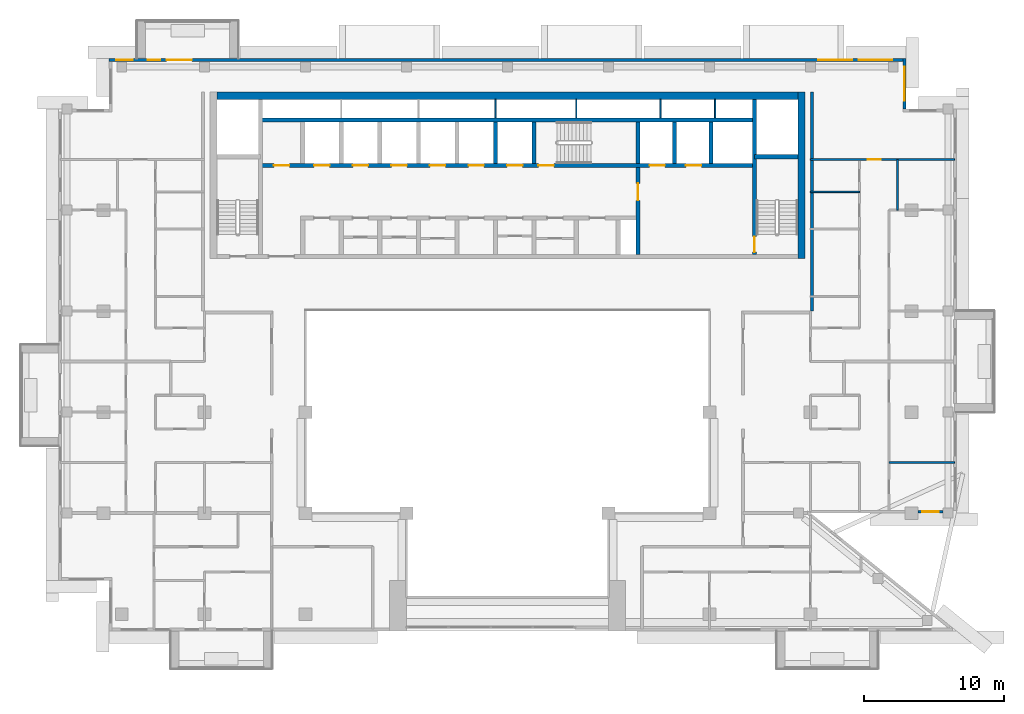
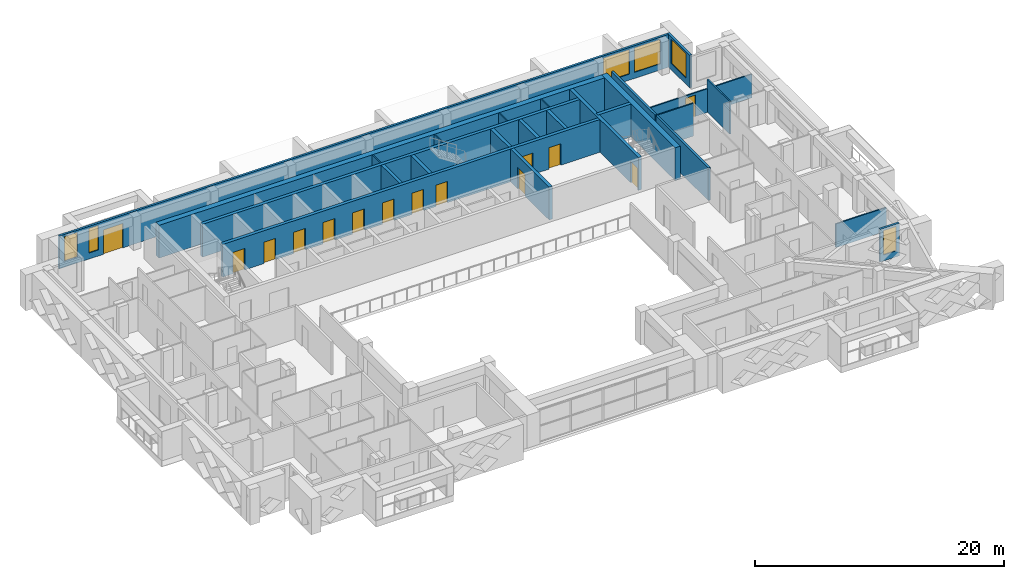
# One storey, part 11 of 19: 24 walls, 14 doors, 6 windows, 20 openings.
"""IFC4 building model written with IfcOpenShell, lengths in metres."""

from ifc_helpers import new_model, si_unit, direction, frame, frame_2d, origin, place, context, subcontext, project, spatial, rectangle, extrude, material, layer, layer_set, type_object, element, fill, save


model = new_model("IFC4")

# Units and contexts
model_context = context("Model", 3, precision=1e-05, world=origin(), true_north=direction((0.0, 1.0)))
body_context = subcontext(model_context, "Body", "Model", "MODEL_VIEW")
ifc_project = project(units=[si_unit("LENGTHUNIT", "METRE"), si_unit("AREAUNIT", "SQUARE_METRE"), si_unit("VOLUMEUNIT", "CUBIC_METRE"), si_unit("PLANEANGLEUNIT", "RADIAN"), si_unit("MASSUNIT", "GRAM", prefix="KILO")], contexts=[model_context])

# Site, building, storey
site_placement = place(None, origin())
site = spatial("IfcSite", under=ifc_project, at=site_placement, CompositionType="ELEMENT")
building_placement = place(site_placement, origin())
building = spatial("IfcBuilding", under=site, at=building_placement, Name="Saffron Iwan Residences", CompositionType="ELEMENT")
storey_placement = place(building_placement, frame((0.0, 0.0, 218.5)))
storey = spatial("IfcBuildingStorey", under=building, at=storey_placement, Name="L58", CompositionType="ELEMENT", Elevation=218.5)

# Wall, opening, window
ifc_material_1 = material(Name="Concrete C40/50", Category="concrete")
ifc_layer_1 = layer(ifc_material_1, 0.199951171875)
ifc_layer_set_1 = layer_set([ifc_layer_1], Name="Concrete C40/50")
wall_type_1 = type_object("IfcWallType", Name="EXTERNAL WALL 200", PredefinedType="SOLIDWALL", material=ifc_layer_set_1)
wall_1_placement = place(storey_placement, frame((79.64990234375, 48.10009765625, 0.0), z_axis=(0.0, 0.0, 1.0), x_axis=(1.0, 0.0, 0.0)))
wall_1 = element("IfcWall", 1, at=wall_1_placement, inside=storey, type_object=wall_type_1, Name="External wall L58 F1.1", PredefinedType="SOLIDWALL", context=body_context, shape_type="SweptSolid", body=[
    extrude(rectangle(XDim=1.800048828125, YDim=0.199951171875, at=frame_2d((0.89990234375, 0.0))), origin(), (0.0, 0.0, 1.0), 3.219970703125),
])
opening_1_placement = place(wall_1_placement, frame((0.300048828125, 0.0, 0.60009765625)))
opening_1 = element("IfcOpeningElement", 2, at=opening_1_placement, cuts=wall_1, Name="Opening W3", PredefinedType="OPENING", context=body_context, shape_type="SweptSolid", body=[
    extrude(rectangle(XDim=1.199951171875, YDim=2.39990234375, at=frame_2d((0.60009765625, 1.199951171875))), frame((0.0, 0.10986328125, 0.0), z_axis=(0.0, -1.0, 0.0), x_axis=(1.0, 0.0, 0.0)), (0.0, 0.0, 1.0), 0.219970703125),
])
ifc_material_2 = material(Name="Clear glass, laminated double glazed", Category="glass")
window_type_1 = type_object("IfcWindowType", Name="WINDOW 1200 x 2400", PartitioningType="SINGLE_PANEL", PredefinedType="WINDOW", material=ifc_material_2)
window_1_placement = place(opening_1_placement, origin())
window_1 = element("IfcWindow", 3, at=window_1_placement, inside=storey, type_object=window_type_1, Name="Window L58 F1.0", OverallHeight=2.39990234375, OverallWidth=1.199951171875, PartitioningType="SINGLE_PANEL", PredefinedType="WINDOW", context=body_context, shape_type="SweptSolid", body=[
    extrude(rectangle(XDim=1.199951171875, YDim=2.39990234375, at=frame_2d((0.60009765625, 1.199951171875))), frame((0.0, 0.030029296875, 0.0), z_axis=(0.0, -1.0, 0.0), x_axis=(1.0, 0.0, 0.0)), (0.0, 0.0, 1.0), 0.06005859375),
])
fill(opening_1, window_1)

wall_2_placement = place(storey_placement, frame((78.699951171875, 76.800048828125, 0.0), z_axis=(0.0, 0.0, 1.0), x_axis=(0.0, 1.0, 0.0)))
wall_2 = element("IfcWall", 4, at=wall_2_placement, inside=storey, type_object=wall_type_1, Name="External wall L58 F4.0", PredefinedType="SOLIDWALL", context=body_context, shape_type="SweptSolid", body=[
    extrude(rectangle(XDim=3.599853515625, YDim=0.199951171875, at=frame_2d((1.7998046875, 0.0))), origin(), (0.0, 0.0, 1.0), 3.219970703125),
])
opening_2_placement = place(wall_2_placement, frame((0.60009765625, 0.0, 0.60009765625)))
opening_2 = element("IfcOpeningElement", 5, at=opening_2_placement, cuts=wall_2, Name="Opening W1", PredefinedType="OPENING", context=body_context, shape_type="SweptSolid", body=[
    extrude(rectangle(XDim=2.39990234375, YDim=2.39990234375, at=frame_2d((1.199951171875, 1.199951171875))), frame((0.0, 0.10986328125, 0.0), z_axis=(0.0, -1.0, 0.0), x_axis=(1.0, 0.0, 0.0)), (0.0, 0.0, 1.0), 0.219970703125),
])
window_type_2 = type_object("IfcWindowType", Name="WINDOW 2400 x 2400", PartitioningType="DOUBLE_PANEL_VERTICAL", PredefinedType="WINDOW", material=ifc_material_2)
window_2_placement = place(opening_2_placement, origin())
window_2 = element("IfcWindow", 6, at=window_2_placement, inside=storey, type_object=window_type_2, Name="Window L58 F4.0", OverallHeight=2.39990234375, OverallWidth=2.39990234375, PartitioningType="DOUBLE_PANEL_VERTICAL", PredefinedType="WINDOW", context=body_context, shape_type="SweptSolid", body=[
    extrude(rectangle(XDim=2.39990234375, YDim=2.39990234375, at=frame_2d((1.199951171875, 1.199951171875))), frame((0.0, 0.030029296875, 0.0), z_axis=(0.0, -1.0, 0.0), x_axis=(1.0, 0.0, 0.0)), (0.0, 0.0, 1.0), 0.06005859375),
])
fill(opening_2, window_2)

# Wall, openings, door, windows
wall_3_placement = place(storey_placement, frame((78.60009765625, 80.300048828125, 0.0), z_axis=(0.0, 0.0, 1.0), x_axis=(-1.0, 0.0, 0.0)))
wall_3 = element("IfcWall", 7, at=wall_3_placement, inside=storey, type_object=wall_type_1, Name="External wall L58 F5.0", PredefinedType="SOLIDWALL", context=body_context, shape_type="SweptSolid", body=[
    extrude(rectangle(XDim=56.60009765625, YDim=0.199951171875, at=frame_2d((28.300048828125, 0.0))), origin(), (0.0, 0.0, 1.0), 3.219970703125),
])
opening_3_placement = place(wall_3_placement, frame((50.699951171875, 0.0, 0.0)))
opening_3 = element("IfcOpeningElement", 8, at=opening_3_placement, cuts=wall_3, Name="Opening BD1", PredefinedType="OPENING", context=body_context, shape_type="SweptSolid", body=[
    extrude(rectangle(XDim=1.800048828125, YDim=2.39990234375, at=frame_2d((0.89990234375, 1.199951171875))), frame((0.0, 0.10986328125, 0.0), z_axis=(0.0, -1.0, 0.0), x_axis=(1.0, 0.0, 0.0)), (0.0, 0.0, 1.0), 0.219970703125),
])
opening_4_placement = place(wall_3_placement, frame((52.949951171875, 0.0, 0.60009765625)))
opening_4 = element("IfcOpeningElement", 9, at=opening_4_placement, cuts=wall_3, Name="Opening W10", PredefinedType="OPENING", context=body_context, shape_type="SweptSolid", body=[
    extrude(rectangle(XDim=0.89990234375, YDim=2.39990234375, at=frame_2d((0.449951171875, 1.199951171875))), frame((0.0, 0.10986328125, 0.0), z_axis=(0.0, -1.0, 0.0), x_axis=(1.0, 0.0, 0.0)), (0.0, 0.0, 1.0), 0.219970703125),
])
opening_5_placement = place(wall_3_placement, frame((54.89990234375, 0.0, 0.60009765625)))
opening_5 = element("IfcOpeningElement", 10, at=opening_5_placement, cuts=wall_3, Name="Opening W3", PredefinedType="OPENING", context=body_context, shape_type="SweptSolid", body=[
    extrude(rectangle(XDim=1.199951171875, YDim=2.39990234375, at=frame_2d((0.60009765625, 1.199951171875))), frame((0.0, 0.10986328125, 0.0), z_axis=(0.0, -1.0, 0.0), x_axis=(1.0, 0.0, 0.0)), (0.0, 0.0, 1.0), 0.219970703125),
])
opening_6_placement = place(wall_3_placement, frame((0.7666015625, 0.0, 0.60009765625)))
opening_6 = element("IfcOpeningElement", 11, at=opening_6_placement, cuts=wall_3, Name="Opening W1", PredefinedType="OPENING", context=body_context, shape_type="SweptSolid", body=[
    extrude(rectangle(XDim=2.39990234375, YDim=2.39990234375, at=frame_2d((1.199951171875, 1.199951171875))), frame((0.0, 0.10986328125, 0.0), z_axis=(0.0, -1.0, 0.0), x_axis=(1.0, 0.0, 0.0)), (0.0, 0.0, 1.0), 0.219970703125),
])
opening_7_placement = place(wall_3_placement, frame((3.63330078125, 0.0, 0.60009765625)))
opening_7 = element("IfcOpeningElement", 12, at=opening_7_placement, cuts=wall_3, Name="Opening W1", PredefinedType="OPENING", context=body_context, shape_type="SweptSolid", body=[
    extrude(rectangle(XDim=2.39990234375, YDim=2.39990234375, at=frame_2d((1.199951171875, 1.199951171875))), frame((0.0, 0.10986328125, 0.0), z_axis=(0.0, -1.0, 0.0), x_axis=(1.0, 0.0, 0.0)), (0.0, 0.0, 1.0), 0.219970703125),
])
door_type_1 = type_object("IfcDoorType", Name="BALCONY DOOR 1800 x 2400", OperationType="DOUBLE_DOOR_SLIDING", PredefinedType="DOOR", material=ifc_material_2)
door_1_placement = place(opening_3_placement, origin())
door_1 = element("IfcDoor", 13, at=door_1_placement, inside=storey, type_object=door_type_1, Name="Balcony door L58 F5.0", OperationType="DOUBLE_DOOR_SLIDING", OverallHeight=2.39990234375, OverallWidth=1.800048828125, PredefinedType="DOOR", context=body_context, shape_type="SweptSolid", body=[
    extrude(rectangle(XDim=1.800048828125, YDim=2.39990234375, at=frame_2d((0.89990234375, 1.199951171875))), frame((0.0, 0.02490234375, 0.0), z_axis=(0.0, -1.0, 0.0), x_axis=(1.0, 0.0, 0.0)), (0.0, 0.0, 1.0), 0.050048828125),
])
fill(opening_3, door_1)
window_3_placement = place(opening_5_placement, origin())
window_3 = element("IfcWindow", 14, at=window_3_placement, inside=storey, type_object=window_type_1, Name="Window L58 F5.2", OverallHeight=2.39990234375, OverallWidth=1.199951171875, PartitioningType="SINGLE_PANEL", PredefinedType="WINDOW", context=body_context, shape_type="SweptSolid", body=[
    extrude(rectangle(XDim=1.199951171875, YDim=2.39990234375, at=frame_2d((0.60009765625, 1.199951171875))), frame((0.0, 0.030029296875, 0.0), z_axis=(0.0, -1.0, 0.0), x_axis=(1.0, 0.0, 0.0)), (0.0, 0.0, 1.0), 0.06005859375),
])
fill(opening_5, window_3)
window_4_placement = place(opening_6_placement, origin())
window_4 = element("IfcWindow", 15, at=window_4_placement, inside=storey, type_object=window_type_2, Name="Window L58 F5.3", OverallHeight=2.39990234375, OverallWidth=2.39990234375, PartitioningType="DOUBLE_PANEL_VERTICAL", PredefinedType="WINDOW", context=body_context, shape_type="SweptSolid", body=[
    extrude(rectangle(XDim=2.39990234375, YDim=2.39990234375, at=frame_2d((1.199951171875, 1.199951171875))), frame((0.0, 0.030029296875, 0.0), z_axis=(0.0, -1.0, 0.0), x_axis=(1.0, 0.0, 0.0)), (0.0, 0.0, 1.0), 0.06005859375),
])
fill(opening_6, window_4)
window_5_placement = place(opening_7_placement, origin())
window_5 = element("IfcWindow", 16, at=window_5_placement, inside=storey, type_object=window_type_2, Name="Window L58 F5.4", OverallHeight=2.39990234375, OverallWidth=2.39990234375, PartitioningType="DOUBLE_PANEL_VERTICAL", PredefinedType="WINDOW", context=body_context, shape_type="SweptSolid", body=[
    extrude(rectangle(XDim=2.39990234375, YDim=2.39990234375, at=frame_2d((1.199951171875, 1.199951171875))), frame((0.0, 0.030029296875, 0.0), z_axis=(0.0, -1.0, 0.0), x_axis=(1.0, 0.0, 0.0)), (0.0, 0.0, 1.0), 0.06005859375),
])
fill(opening_7, window_5)
window_type_3 = type_object("IfcWindowType", Name="WINDOW 900 x 2400", PartitioningType="SINGLE_PANEL", PredefinedType="WINDOW", material=ifc_material_2)
window_6_placement = place(opening_4_placement, origin())
window_6 = element("IfcWindow", 17, at=window_6_placement, inside=storey, type_object=window_type_3, Name="Window L58 F5.1", OverallHeight=2.39990234375, OverallWidth=0.89990234375, PartitioningType="SINGLE_PANEL", PredefinedType="WINDOW", context=body_context, shape_type="SweptSolid", body=[
    extrude(rectangle(XDim=0.89990234375, YDim=2.39990234375, at=frame_2d((0.449951171875, 1.199951171875))), frame((0.0, 0.030029296875, 0.0), z_axis=(0.0, -1.0, 0.0), x_axis=(1.0, 0.0, 0.0)), (0.0, 0.0, 1.0), 0.06005859375),
])
fill(opening_4, window_6)

# Walls
ifc_material_3 = material(Name="Gypsum board partition")
ifc_layer_2 = layer(ifc_material_3, 0.1201171875)
ifc_layer_set_2 = layer_set([ifc_layer_2], Name="Gypsum board partition")
wall_type_2 = type_object("IfcWallType", Name="Flat partition 120", PredefinedType="PARTITIONING", material=ifc_layer_set_2)
wall_4_placement = place(storey_placement, frame((77.60009765625, 51.60009765625, 0.0), z_axis=(0.0, 0.0, 1.0), x_axis=(1.0, 0.0, 0.0)))
element("IfcWall", 18, at=wall_4_placement, inside=storey, type_object=wall_type_2, Name="W-L58-PART-h51.6-77.6", PredefinedType="PARTITIONING", context=body_context, shape_type="SweptSolid", body=[
    extrude(rectangle(XDim=4.6748046875, YDim=0.1201171875, at=frame_2d((2.33740234375, 0.0))), origin(), (0.0, 0.0, 1.0), 2.320068359375),
])
wall_5_placement = place(storey_placement, frame((72.0, 70.89990234375, 0.0), z_axis=(0.0, 0.0, 1.0), x_axis=(1.0, 0.0, 0.0)))
element("IfcWall", 19, at=wall_5_placement, inside=storey, type_object=wall_type_2, Name="W-L58-PART-h70.9-72", PredefinedType="PARTITIONING", context=body_context, shape_type="SweptSolid", body=[
    extrude(rectangle(XDim=3.5, YDim=0.1201171875, at=frame_2d((1.75, 0.0))), origin(), (0.0, 0.0, 1.0), 3.219970703125),
])

# Wall, opening, door
wall_6_placement = place(storey_placement, frame((72.0, 73.199951171875, 0.0), z_axis=(0.0, 0.0, 1.0), x_axis=(1.0, 0.0, 0.0)))
wall_6 = element("IfcWall", 20, at=wall_6_placement, inside=storey, type_object=wall_type_2, Name="W-L58-PART-h73.2-72", PredefinedType="PARTITIONING", context=body_context, shape_type="SweptSolid", body=[
    extrude(rectangle(XDim=10.27490234375, YDim=0.1201171875, at=frame_2d((5.137451171875, 0.0))), origin(), (0.0, 0.0, 1.0), 2.320068359375),
])
opening_8_placement = place(wall_6_placement, frame((4.10009765625, 0.0, 0.0)))
opening_8 = element("IfcOpeningElement", 21, at=opening_8_placement, cuts=wall_6, Name="Opening FD2", PredefinedType="OPENING", context=body_context, shape_type="SweptSolid", body=[
    extrude(rectangle(XDim=0.89990234375, YDim=2.10009765625, at=frame_2d((0.449951171875, 1.050048828125))), frame((0.0, 0.070068359375, 0.0), z_axis=(0.0, -1.0, 0.0), x_axis=(1.0, 0.0, 0.0)), (0.0, 0.0, 1.0), 0.14013671875),
])
ifc_material_4 = material(Name="Timber door", Category="wood")
door_type_2 = type_object("IfcDoorType", Name="Flat door 900", OperationType="NOTDEFINED", PredefinedType="DOOR", material=ifc_material_4)
door_2_placement = place(opening_8_placement, origin())
door_2 = element("IfcDoor", 22, at=door_2_placement, inside=storey, type_object=door_type_2, Name="Door L58-035", OperationType="SINGLE_SWING_LEFT", OverallHeight=2.10009765625, OverallWidth=0.89990234375, PredefinedType="DOOR", context=body_context, shape_type="SweptSolid", body=[
    extrude(rectangle(XDim=0.89990234375, YDim=2.10009765625, at=frame_2d((0.449951171875, 1.050048828125))), frame((0.0, 0.02490234375, 0.0), z_axis=(0.0, -1.0, 0.0), x_axis=(1.0, 0.0, 0.0)), (0.0, 0.0, 1.0), 0.050048828125),
])
fill(opening_8, door_2)

# Walls
wall_7_placement = place(storey_placement, frame((78.199951171875, 69.60009765625, 0.0), z_axis=(0.0, 0.0, 1.0), x_axis=(0.0, 1.0, 0.0)))
element("IfcWall", 23, at=wall_7_placement, inside=storey, type_object=wall_type_2, Name="W-L58-PART-v78.2-69.6", PredefinedType="PARTITIONING", context=body_context, shape_type="SweptSolid", body=[
    extrude(rectangle(XDim=3.599853515625, YDim=0.1201171875, at=frame_2d((1.7998046875, 0.0))), origin(), (0.0, 0.0, 1.0), 3.219970703125),
])
ifc_material_5 = material(Name="Fire-rated gypsum board wall")
ifc_layer_3 = layer(ifc_material_5, 0.199951171875)
ifc_layer_set_3 = layer_set([ifc_layer_3], Name="Fire-rated gypsum board wall")
wall_type_3 = type_object("IfcWallType", Name="Gallery wall 200", PredefinedType="SOLIDWALL", material=ifc_layer_set_3)
wall_8_placement = place(storey_placement, frame((72.10009765625, 62.39990234375, 0.0), z_axis=(0.0, 0.0, 1.0), x_axis=(0.0, 1.0, 0.0)))
element("IfcWall", 24, at=wall_8_placement, inside=storey, type_object=wall_type_3, Name="W-L58-CORR-v72-62.4", PredefinedType="SOLIDWALL", context=body_context, shape_type="SweptSolid", body=[
    extrude(rectangle(XDim=15.60009765625, YDim=0.199951171875, at=frame_2d((7.800048828125, 0.0))), origin(), (0.0, 0.0, 1.0), 3.219970703125),
])
ifc_material_6 = material(Name="Fire-rated plasterboard partition")
ifc_layer_4 = layer(ifc_material_6, 0.10009765625)
ifc_layer_set_4 = layer_set([ifc_layer_4], Name="Fire-rated plasterboard partition")
wall_type_4 = type_object("IfcWallType", Name="Riser partition 100", PredefinedType="PARTITIONING", material=ifc_layer_set_4)
for number, where, z_axis, x_axis, name in (
    (25, (49.550048828125, 76.175048828125, 0.0), (0.0, 0.0, 1.0), (0.0, 1.0, 0.0), "Core partition P08"),
    (26, (55.300048828125, 76.175048828125, 0.0), (0.0, 0.0, 1.0), (0.0, 1.0, 0.0), "Core partition P09"),
    (27, (61.300048828125, 76.175048828125, 0.0), (0.0, 0.0, 1.0), (0.0, 1.0, 0.0), "Core partition P10"),
    (28, (65.199951171875, 76.175048828125, 0.0), (0.0, 0.0, 1.0), (0.0, 1.0, 0.0), "Core partition P11"),
):
    element("IfcWall", number, at=place(storey_placement, frame(where, z_axis=z_axis, x_axis=x_axis)), inside=storey, type_object=wall_type_4, Name=name, PredefinedType="PARTITIONING", context=body_context, shape_type="SweptSolid", body=[
        extrude(rectangle(XDim=1.324951171875, YDim=0.10009765625, at=frame_2d((0.66259765625, 0.0))), origin(), (0.0, 0.0, 1.0), 3.219970703125),
    ])

# Wall, openings, doors
ifc_layer_5 = layer(ifc_material_1, 0.300048828125)
ifc_layer_set_5 = layer_set([ifc_layer_5], Name="Concrete C40/50")
wall_type_5 = type_object("IfcWallType", Name="WALL CORE 300 C40/50 3220 HIGH", PredefinedType="SHEAR", material=ifc_layer_set_5)
wall_9_placement = place(storey_placement, frame((32.800048828125, 72.77490234375, 0.0), z_axis=(0.0, 0.0, 1.0), x_axis=(1.0, 0.0, 0.0)))
wall_9 = element("IfcWall", 29, at=wall_9_placement, inside=storey, type_object=wall_type_5, Name="Core wall", PredefinedType="SHEAR", context=body_context, shape_type="SweptSolid", body=[
    extrude(rectangle(XDim=35.199951171875, YDim=0.300048828125, at=frame_2d((17.60009765625, 0.0))), origin(), (0.0, 0.0, 1.0), 3.219970703125),
])
opening_9_placement = place(wall_9_placement, frame((19.800048828125, 0.0, 0.0)))
opening_9 = element("IfcOpeningElement", 30, at=opening_9_placement, cuts=wall_9, Name="Opening SD", PredefinedType="OPENING", context=body_context, shape_type="SweptSolid", body=[
    extrude(rectangle(XDim=1.10009765625, YDim=2.10009765625, at=frame_2d((0.550048828125, 1.050048828125))), frame((0.0, 0.16015625, 0.0), z_axis=(0.0, -1.0, 0.0), x_axis=(1.0, 0.0, 0.0)), (0.0, 0.0, 1.0), 0.320068359375),
])
opening_10_placement = place(wall_9_placement, frame((27.72509765625, 0.0, 0.0)))
opening_10 = element("IfcOpeningElement", 31, at=opening_10_placement, cuts=wall_9, Name="Opening LD", PredefinedType="OPENING", context=body_context, shape_type="SweptSolid", body=[
    extrude(rectangle(XDim=1.10009765625, YDim=2.10009765625, at=frame_2d((0.550048828125, 1.050048828125))), frame((0.0, 0.16015625, 0.0), z_axis=(0.0, -1.0, 0.0), x_axis=(1.0, 0.0, 0.0)), (0.0, 0.0, 1.0), 0.320068359375),
])
opening_11_placement = place(wall_9_placement, frame((30.324951171875, 0.0, 0.0)))
opening_11 = element("IfcOpeningElement", 32, at=opening_11_placement, cuts=wall_9, Name="Opening LD", PredefinedType="OPENING", context=body_context, shape_type="SweptSolid", body=[
    extrude(rectangle(XDim=1.10009765625, YDim=2.10009765625, at=frame_2d((0.550048828125, 1.050048828125))), frame((0.0, 0.16015625, 0.0), z_axis=(0.0, -1.0, 0.0), x_axis=(1.0, 0.0, 0.0)), (0.0, 0.0, 1.0), 0.320068359375),
])
opening_12_placement = place(wall_9_placement, frame((3.824951171875, 0.0, 0.0)))
opening_12 = element("IfcOpeningElement", 33, at=opening_12_placement, cuts=wall_9, Name="Opening LD", PredefinedType="OPENING", context=body_context, shape_type="SweptSolid", body=[
    extrude(rectangle(XDim=1.10009765625, YDim=2.10009765625, at=frame_2d((0.550048828125, 1.050048828125))), frame((0.0, 0.16015625, 0.0), z_axis=(0.0, -1.0, 0.0), x_axis=(1.0, 0.0, 0.0)), (0.0, 0.0, 1.0), 0.320068359375),
])
opening_13_placement = place(wall_9_placement, frame((6.574951171875, 0.0, 0.0)))
opening_13 = element("IfcOpeningElement", 34, at=opening_13_placement, cuts=wall_9, Name="Opening LD", PredefinedType="OPENING", context=body_context, shape_type="SweptSolid", body=[
    extrude(rectangle(XDim=1.10009765625, YDim=2.10009765625, at=frame_2d((0.550048828125, 1.050048828125))), frame((0.0, 0.16015625, 0.0), z_axis=(0.0, -1.0, 0.0), x_axis=(1.0, 0.0, 0.0)), (0.0, 0.0, 1.0), 0.320068359375),
])
opening_14_placement = place(wall_9_placement, frame((9.324951171875, 0.0, 0.0)))
opening_14 = element("IfcOpeningElement", 35, at=opening_14_placement, cuts=wall_9, Name="Opening LD", PredefinedType="OPENING", context=body_context, shape_type="SweptSolid", body=[
    extrude(rectangle(XDim=1.10009765625, YDim=2.10009765625, at=frame_2d((0.550048828125, 1.050048828125))), frame((0.0, 0.16015625, 0.0), z_axis=(0.0, -1.0, 0.0), x_axis=(1.0, 0.0, 0.0)), (0.0, 0.0, 1.0), 0.320068359375),
])
opening_15_placement = place(wall_9_placement, frame((12.074951171875, 0.0, 0.0)))
opening_15 = element("IfcOpeningElement", 36, at=opening_15_placement, cuts=wall_9, Name="Opening LD", PredefinedType="OPENING", context=body_context, shape_type="SweptSolid", body=[
    extrude(rectangle(XDim=1.10009765625, YDim=2.10009765625, at=frame_2d((0.550048828125, 1.050048828125))), frame((0.0, 0.16015625, 0.0), z_axis=(0.0, -1.0, 0.0), x_axis=(1.0, 0.0, 0.0)), (0.0, 0.0, 1.0), 0.320068359375),
])
opening_16_placement = place(wall_9_placement, frame((14.824951171875, 0.0, 0.0)))
opening_16 = element("IfcOpeningElement", 37, at=opening_16_placement, cuts=wall_9, Name="Opening LD", PredefinedType="OPENING", context=body_context, shape_type="SweptSolid", body=[
    extrude(rectangle(XDim=1.10009765625, YDim=2.10009765625, at=frame_2d((0.550048828125, 1.050048828125))), frame((0.0, 0.16015625, 0.0), z_axis=(0.0, -1.0, 0.0), x_axis=(1.0, 0.0, 0.0)), (0.0, 0.0, 1.0), 0.320068359375),
])
opening_17_placement = place(wall_9_placement, frame((17.574951171875, 0.0, 0.0)))
opening_17 = element("IfcOpeningElement", 38, at=opening_17_placement, cuts=wall_9, Name="Opening LD", PredefinedType="OPENING", context=body_context, shape_type="SweptSolid", body=[
    extrude(rectangle(XDim=1.10009765625, YDim=2.10009765625, at=frame_2d((0.550048828125, 1.050048828125))), frame((0.0, 0.16015625, 0.0), z_axis=(0.0, -1.0, 0.0), x_axis=(1.0, 0.0, 0.0)), (0.0, 0.0, 1.0), 0.320068359375),
])
opening_18_placement = place(wall_9_placement, frame((0.949951171875, 0.0, 0.0)))
opening_18 = element("IfcOpeningElement", 39, at=opening_18_placement, cuts=wall_9, Name="Opening SR", PredefinedType="OPENING", context=body_context, shape_type="SweptSolid", body=[
    extrude(rectangle(XDim=1.10009765625, YDim=2.10009765625, at=frame_2d((0.550048828125, 1.050048828125))), frame((0.0, 0.16015625, 0.0), z_axis=(0.0, -1.0, 0.0), x_axis=(1.0, 0.0, 0.0)), (0.0, 0.0, 1.0), 0.320068359375),
])
ifc_material_7 = material(Name="Steel fire door", Category="steel")
door_type_3 = type_object("IfcDoorType", Name="Lift landing door 1100", OperationType="SLIDING_TO_LEFT", PredefinedType="DOOR", material=ifc_material_7)
door_3_placement = place(opening_10_placement, origin())
door_3 = element("IfcDoor", 40, at=door_3_placement, inside=storey, type_object=door_type_3, Name="Landing doors FF1", OperationType="SLIDING_TO_LEFT", OverallHeight=2.10009765625, OverallWidth=1.10009765625, PredefinedType="DOOR", context=body_context, shape_type="SweptSolid", body=[
    extrude(rectangle(XDim=1.10009765625, YDim=2.10009765625, at=frame_2d((0.550048828125, 1.050048828125))), frame((0.0, 0.02490234375, 0.0), z_axis=(0.0, -1.0, 0.0), x_axis=(1.0, 0.0, 0.0)), (0.0, 0.0, 1.0), 0.050048828125),
])
fill(opening_10, door_3)
door_4_placement = place(opening_11_placement, origin())
door_4 = element("IfcDoor", 41, at=door_4_placement, inside=storey, type_object=door_type_3, Name="Landing doors FF2", OperationType="SLIDING_TO_LEFT", OverallHeight=2.10009765625, OverallWidth=1.10009765625, PredefinedType="DOOR", context=body_context, shape_type="SweptSolid", body=[
    extrude(rectangle(XDim=1.10009765625, YDim=2.10009765625, at=frame_2d((0.550048828125, 1.050048828125))), frame((0.0, 0.02490234375, 0.0), z_axis=(0.0, -1.0, 0.0), x_axis=(1.0, 0.0, 0.0)), (0.0, 0.0, 1.0), 0.050048828125),
])
fill(opening_11, door_4)
door_5_placement = place(opening_12_placement, origin())
door_5 = element("IfcDoor", 42, at=door_5_placement, inside=storey, type_object=door_type_3, Name="Landing doors HR1", OperationType="SLIDING_TO_LEFT", OverallHeight=2.10009765625, OverallWidth=1.10009765625, PredefinedType="DOOR", context=body_context, shape_type="SweptSolid", body=[
    extrude(rectangle(XDim=1.10009765625, YDim=2.10009765625, at=frame_2d((0.550048828125, 1.050048828125))), frame((0.0, 0.02490234375, 0.0), z_axis=(0.0, -1.0, 0.0), x_axis=(1.0, 0.0, 0.0)), (0.0, 0.0, 1.0), 0.050048828125),
])
fill(opening_12, door_5)
door_6_placement = place(opening_13_placement, origin())
door_6 = element("IfcDoor", 43, at=door_6_placement, inside=storey, type_object=door_type_3, Name="Landing doors HR2", OperationType="SLIDING_TO_LEFT", OverallHeight=2.10009765625, OverallWidth=1.10009765625, PredefinedType="DOOR", context=body_context, shape_type="SweptSolid", body=[
    extrude(rectangle(XDim=1.10009765625, YDim=2.10009765625, at=frame_2d((0.550048828125, 1.050048828125))), frame((0.0, 0.02490234375, 0.0), z_axis=(0.0, -1.0, 0.0), x_axis=(1.0, 0.0, 0.0)), (0.0, 0.0, 1.0), 0.050048828125),
])
fill(opening_13, door_6)
door_7_placement = place(opening_14_placement, origin())
door_7 = element("IfcDoor", 44, at=door_7_placement, inside=storey, type_object=door_type_3, Name="Landing doors HR3", OperationType="SLIDING_TO_LEFT", OverallHeight=2.10009765625, OverallWidth=1.10009765625, PredefinedType="DOOR", context=body_context, shape_type="SweptSolid", body=[
    extrude(rectangle(XDim=1.10009765625, YDim=2.10009765625, at=frame_2d((0.550048828125, 1.050048828125))), frame((0.0, 0.02490234375, 0.0), z_axis=(0.0, -1.0, 0.0), x_axis=(1.0, 0.0, 0.0)), (0.0, 0.0, 1.0), 0.050048828125),
])
fill(opening_14, door_7)
door_8_placement = place(opening_15_placement, origin())
door_8 = element("IfcDoor", 45, at=door_8_placement, inside=storey, type_object=door_type_3, Name="Landing doors HR4", OperationType="SLIDING_TO_LEFT", OverallHeight=2.10009765625, OverallWidth=1.10009765625, PredefinedType="DOOR", context=body_context, shape_type="SweptSolid", body=[
    extrude(rectangle(XDim=1.10009765625, YDim=2.10009765625, at=frame_2d((0.550048828125, 1.050048828125))), frame((0.0, 0.02490234375, 0.0), z_axis=(0.0, -1.0, 0.0), x_axis=(1.0, 0.0, 0.0)), (0.0, 0.0, 1.0), 0.050048828125),
])
fill(opening_15, door_8)
door_9_placement = place(opening_16_placement, origin())
door_9 = element("IfcDoor", 46, at=door_9_placement, inside=storey, type_object=door_type_3, Name="Landing doors HR5", OperationType="SLIDING_TO_LEFT", OverallHeight=2.10009765625, OverallWidth=1.10009765625, PredefinedType="DOOR", context=body_context, shape_type="SweptSolid", body=[
    extrude(rectangle(XDim=1.10009765625, YDim=2.10009765625, at=frame_2d((0.550048828125, 1.050048828125))), frame((0.0, 0.02490234375, 0.0), z_axis=(0.0, -1.0, 0.0), x_axis=(1.0, 0.0, 0.0)), (0.0, 0.0, 1.0), 0.050048828125),
])
fill(opening_16, door_9)
door_10_placement = place(opening_17_placement, origin())
door_10 = element("IfcDoor", 47, at=door_10_placement, inside=storey, type_object=door_type_3, Name="Landing doors HR6", OperationType="SLIDING_TO_LEFT", OverallHeight=2.10009765625, OverallWidth=1.10009765625, PredefinedType="DOOR", context=body_context, shape_type="SweptSolid", body=[
    extrude(rectangle(XDim=1.10009765625, YDim=2.10009765625, at=frame_2d((0.550048828125, 1.050048828125))), frame((0.0, 0.02490234375, 0.0), z_axis=(0.0, -1.0, 0.0), x_axis=(1.0, 0.0, 0.0)), (0.0, 0.0, 1.0), 0.050048828125),
])
fill(opening_17, door_10)
door_type_4 = type_object("IfcDoorType", Name="Service door 1100", OperationType="NOTDEFINED", PredefinedType="DOOR", material=ifc_material_7)
door_11_placement = place(opening_18_placement, origin())
door_11 = element("IfcDoor", 48, at=door_11_placement, inside=storey, type_object=door_type_4, Name="Door Meter room", OperationType="SINGLE_SWING_LEFT", OverallHeight=2.10009765625, OverallWidth=1.10009765625, PredefinedType="DOOR", context=body_context, shape_type="SweptSolid", body=[
    extrude(rectangle(XDim=1.10009765625, YDim=2.10009765625, at=frame_2d((0.550048828125, 1.050048828125))), frame((0.0, 0.02490234375, 0.0), z_axis=(0.0, -1.0, 0.0), x_axis=(1.0, 0.0, 0.0)), (0.0, 0.0, 1.0), 0.050048828125),
])
fill(opening_18, door_11)
door_type_5 = type_object("IfcDoorType", Name="Stair door 1100", OperationType="NOTDEFINED", PredefinedType="DOOR", material=ifc_material_7)
door_12_placement = place(opening_9_placement, origin())
door_12 = element("IfcDoor", 49, at=door_12_placement, inside=storey, type_object=door_type_5, Name="Stair door ST-C", OperationType="SINGLE_SWING_LEFT", OverallHeight=2.10009765625, OverallWidth=1.10009765625, PredefinedType="DOOR", context=body_context, shape_type="SweptSolid", body=[
    extrude(rectangle(XDim=1.10009765625, YDim=2.10009765625, at=frame_2d((0.550048828125, 1.050048828125))), frame((0.0, 0.02490234375, 0.0), z_axis=(0.0, -1.0, 0.0), x_axis=(1.0, 0.0, 0.0)), (0.0, 0.0, 1.0), 0.050048828125),
])
fill(opening_9, door_12)

# Walls
wall_10_placement = place(storey_placement, frame((32.800048828125, 76.02490234375, 0.0), z_axis=(0.0, 0.0, 1.0), x_axis=(1.0, 0.0, 0.0)))
element("IfcWall", 50, at=wall_10_placement, inside=storey, type_object=wall_type_5, Name="Core wall", PredefinedType="SHEAR", context=body_context, shape_type="SweptSolid", body=[
    extrude(rectangle(XDim=35.199951171875, YDim=0.300048828125, at=frame_2d((17.60009765625, 0.0))), origin(), (0.0, 0.0, 1.0), 3.219970703125),
])
wall_11_placement = place(storey_placement, frame((68.0, 73.39990234375, 0.0), z_axis=(0.0, 0.0, 1.0), x_axis=(1.0, 0.0, 0.0)))
element("IfcWall", 51, at=wall_11_placement, inside=storey, type_object=wall_type_5, Name="Core wall", PredefinedType="SHEAR", context=body_context, shape_type="SweptSolid", body=[
    extrude(rectangle(XDim=3.10009765625, YDim=0.300048828125, at=frame_2d((1.550048828125, 0.0))), origin(), (0.0, 0.0, 1.0), 3.219970703125),
])

# Wall, opening, door
wall_12_placement = place(storey_placement, frame((68.0, 66.449951171875, 0.0), z_axis=(0.0, 0.0, 1.0), x_axis=(0.0, 1.0, 0.0)))
wall_12 = element("IfcWall", 52, at=wall_12_placement, inside=storey, type_object=wall_type_5, Name="Core wall", PredefinedType="SHEAR", context=body_context, shape_type="SweptSolid", body=[
    extrude(rectangle(XDim=11.050048828125, YDim=0.300048828125, at=frame_2d((5.52490234375, 0.0))), origin(), (0.0, 0.0, 1.0), 3.219970703125),
])
opening_19_placement = place(wall_12_placement, frame((0.14990234375, 0.0, 0.0)))
opening_19 = element("IfcOpeningElement", 53, at=opening_19_placement, cuts=wall_12, Name="Opening SD", PredefinedType="OPENING", context=body_context, shape_type="SweptSolid", body=[
    extrude(rectangle(XDim=1.10009765625, YDim=2.10009765625, at=frame_2d((0.550048828125, 1.050048828125))), frame((0.0, 0.16015625, 0.0), z_axis=(0.0, -1.0, 0.0), x_axis=(1.0, 0.0, 0.0)), (0.0, 0.0, 1.0), 0.320068359375),
])
door_13_placement = place(opening_19_placement, origin())
door_13 = element("IfcDoor", 54, at=door_13_placement, inside=storey, type_object=door_type_5, Name="Stair door ST-E", OperationType="SINGLE_SWING_RIGHT", OverallHeight=2.10009765625, OverallWidth=1.10009765625, PredefinedType="DOOR", context=body_context, shape_type="SweptSolid", body=[
    extrude(rectangle(XDim=1.10009765625, YDim=2.10009765625, at=frame_2d((0.550048828125, 1.050048828125))), frame((0.0, 0.02490234375, 0.0), z_axis=(0.0, -1.0, 0.0), x_axis=(1.0, 0.0, 0.0)), (0.0, 0.0, 1.0), 0.050048828125),
])
fill(opening_19, door_13)

wall_13_placement = place(storey_placement, frame((59.699951171875, 66.449951171875, 0.0), z_axis=(0.0, 0.0, 1.0), x_axis=(0.0, 1.0, 0.0)))
wall_13 = element("IfcWall", 55, at=wall_13_placement, inside=storey, type_object=wall_type_5, Name="Core wall", PredefinedType="SHEAR", context=body_context, shape_type="SweptSolid", body=[
    extrude(rectangle(XDim=6.175048828125, YDim=0.300048828125, at=frame_2d((3.08740234375, 0.0))), origin(), (0.0, 0.0, 1.0), 3.219970703125),
])
opening_20_placement = place(wall_13_placement, frame((3.85009765625, 0.0, 0.0)))
opening_20 = element("IfcOpeningElement", 56, at=opening_20_placement, cuts=wall_13, Name="Opening FD", PredefinedType="OPENING", context=body_context, shape_type="SweptSolid", body=[
    extrude(rectangle(XDim=1.199951171875, YDim=2.10009765625, at=frame_2d((0.60009765625, 1.050048828125))), frame((0.0, 0.16015625, 0.0), z_axis=(0.0, -1.0, 0.0), x_axis=(1.0, 0.0, 0.0)), (0.0, 0.0, 1.0), 0.320068359375),
])
door_type_6 = type_object("IfcDoorType", Name="Firefighting lobby door 1200", OperationType="NOTDEFINED", PredefinedType="DOOR", material=ifc_material_7)
door_14_placement = place(opening_20_placement, origin())
door_14 = element("IfcDoor", 57, at=door_14_placement, inside=storey, type_object=door_type_6, Name="Firefighting lobby door", OperationType="SINGLE_SWING_LEFT", OverallHeight=2.10009765625, OverallWidth=1.199951171875, PredefinedType="DOOR", context=body_context, shape_type="SweptSolid", body=[
    extrude(rectangle(XDim=1.199951171875, YDim=2.10009765625, at=frame_2d((0.60009765625, 1.050048828125))), frame((0.0, 0.02490234375, 0.0), z_axis=(0.0, -1.0, 0.0), x_axis=(1.0, 0.0, 0.0)), (0.0, 0.0, 1.0), 0.050048828125),
])
fill(opening_20, door_14)

# Walls
for number, where, z_axis, x_axis, name in (
    (58, (59.699951171875, 72.925048828125, 0.0), (0.0, 0.0, 1.0), (0.0, 1.0, 0.0), "Core wall"),
    (59, (49.550048828125, 72.925048828125, 0.0), (0.0, 0.0, 1.0), (0.0, 1.0, 0.0), "Core wall"),
    (60, (52.300048828125, 72.925048828125, 0.0), (0.0, 0.0, 1.0), (0.0, 1.0, 0.0), "Core wall"),
    (61, (62.300048828125, 72.925048828125, 0.0), (0.0, 0.0, 1.0), (0.0, 1.0, 0.0), "Core wall"),
    (62, (64.89990234375, 72.925048828125, 0.0), (0.0, 0.0, 1.0), (0.0, 1.0, 0.0), "Core wall"),
):
    element("IfcWall", number, at=place(storey_placement, frame(where, z_axis=z_axis, x_axis=x_axis)), inside=storey, type_object=wall_type_5, Name=name, PredefinedType="SHEAR", context=body_context, shape_type="SweptSolid", body=[
        extrude(rectangle(XDim=2.949951171875, YDim=0.300048828125, at=frame_2d((1.47509765625, 0.0))), origin(), (0.0, 0.0, 1.0), 3.219970703125),
    ])
ifc_layer_6 = layer(ifc_material_1, 0.5)
ifc_layer_set_6 = layer_set([ifc_layer_6], Name="Concrete C40/50")
wall_type_6 = type_object("IfcWallType", Name="WALL CORE 500 C40/50 3220 HIGH", PredefinedType="SHEAR", material=ifc_layer_set_6)
wall_14_placement = place(storey_placement, frame((71.35009765625, 66.14990234375, 0.0), z_axis=(0.0, 0.0, 1.0), x_axis=(0.0, 1.0, 0.0)))
element("IfcWall", 63, at=wall_14_placement, inside=storey, type_object=wall_type_6, Name="Core wall", PredefinedType="SHEAR", context=body_context, shape_type="SweptSolid", body=[
    extrude(rectangle(XDim=11.85009765625, YDim=0.5, at=frame_2d((5.925048828125, 0.0))), origin(), (0.0, 0.0, 1.0), 3.219970703125),
])
wall_15_placement = place(storey_placement, frame((29.699951171875, 77.75, 0.0), z_axis=(0.0, 0.0, 1.0), x_axis=(1.0, 0.0, 0.0)))
element("IfcWall", 64, at=wall_15_placement, inside=storey, type_object=wall_type_6, Name="Core wall", PredefinedType="SHEAR", context=body_context, shape_type="SweptSolid", body=[
    extrude(rectangle(XDim=41.400146484375, YDim=0.5, at=frame_2d((20.7001953125, 0.0))), origin(), (0.0, 0.0, 1.0), 3.219970703125),
])

save(model, "model.ifc")
